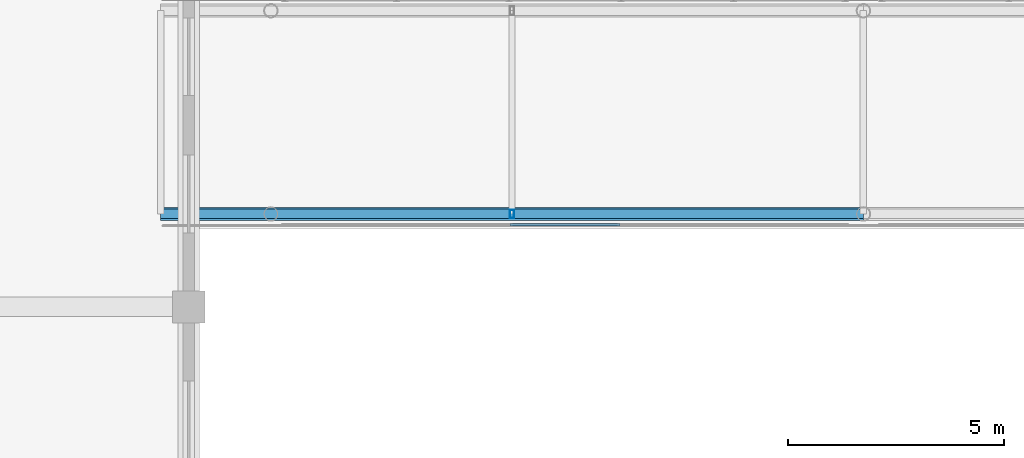
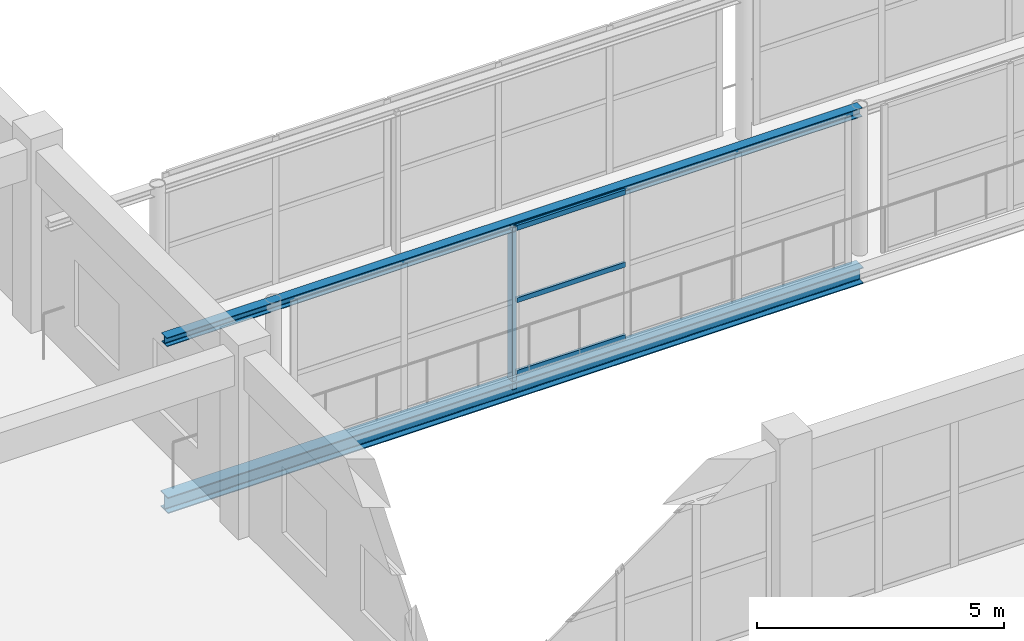
# One storey, part 45 of 175: 5 members, 1 beam, 1 element without a shape of its own.
"""IFC4 building model written with IfcOpenShell, lengths in metres."""

from ifc_helpers import new_model, si_unit, direction, frame, origin, origin_2d, place, context, subcontext, project, spatial, hollow_rectangle, i_section, extrude, material, layer, layer_set, material_profile, profile_set, type_object, element, aggregate, save


model = new_model("IFC4")

# Units and contexts
model_context = context("Model", 3, precision=1e-05, world=origin(), true_north=direction((0.0, 1.0)))
body_context = subcontext(model_context, "Body", "Model", "MODEL_VIEW")
ifc_project = project(units=[si_unit("LENGTHUNIT", "METRE"), si_unit("AREAUNIT", "SQUARE_METRE"), si_unit("VOLUMEUNIT", "CUBIC_METRE"), si_unit("PLANEANGLEUNIT", "RADIAN"), si_unit("MASSUNIT", "GRAM", prefix="KILO")], contexts=[model_context])

# Site, building, storey
site_placement = place(None, origin())
site = spatial("IfcSite", under=ifc_project, at=site_placement, CompositionType="ELEMENT")
building_placement = place(site_placement, origin())
building = spatial("IfcBuilding", under=site, at=building_placement, Name="Zizhar Promenade General Hospital", CompositionType="ELEMENT")
storey_placement = place(building_placement, frame((0.0, 0.0, 4.800048828125)))
storey = spatial("IfcBuildingStorey", under=building, at=storey_placement, Name="L01", CompositionType="ELEMENT", Elevation=4.800048828125)

# Beam
ifc_material_1 = material(Name="Steel S355", Category="steel")
ifc_material_profile_1 = material_profile(ifc_material_1, i_section(OverallWidth=0.300048828125, OverallDepth=0.39990234375, WebThickness=0.013427734375, FlangeThickness=0.02392578125, FilletRadius=0.027099609375, at=origin_2d()))
ifc_profile_set_1 = profile_set([ifc_material_profile_1], Name="Steel S355")
beam_type = type_object("IfcBeamType", Name="BM-STL-HEB400", PredefinedType="BEAM", material=ifc_profile_set_1)
beam_placement = place(storey_placement, frame((69.550048828125, 60.949951171875, -0.5), z_axis=(1.0, 0.0, 0.0), x_axis=(0.0, 1.0, 0.0)))
element("IfcBeam", 1, at=beam_placement, inside=storey, type_object=beam_type, Name="SB-1 Bottom Chord 1S", PredefinedType="BEAM", context=body_context, shape_type="SweptSolid", body=[
    extrude(i_section(OverallWidth=0.300048828125, OverallDepth=0.39990234375, WebThickness=0.013427734375, FlangeThickness=0.02392578125, FilletRadius=0.027099609375, at=origin_2d()), origin(), (0.0, 0.0, 1.0), 16.25),
])

# Curtain wall, members
ifc_material_2 = material(Name="Anodised aluminium 6063-T6 and low-E glass", Category="aluminium")
ifc_layer = layer(ifc_material_2, 0.159912109375)
ifc_layer_set = layer_set([ifc_layer], Name="Anodised aluminium 6063-T6 and low-E glass")
curtain_wall_type = type_object("IfcCurtainWallType", Name="CW-SKY-GLZ", PredefinedType="NOTDEFINED", material=ifc_layer_set)
curtain_wall_placement = place(storey_placement, origin())
curtain_wall = element("IfcCurtainWall", 2, at=curtain_wall_placement, inside=storey, type_object=curtain_wall_type, Name="Courtyard Clinical Skybridge Level L01 South Glazing 1", PredefinedType="NOTDEFINED")
ifc_material_3 = material(Name="Anodised aluminium 6063-T6", Category="aluminium")
ifc_material_profile_2 = material_profile(ifc_material_3, hollow_rectangle(XDim=0.06005859375, YDim=0.1201171875, WallThickness=0.00390625, at=origin_2d()))
ifc_profile_set_2 = profile_set([ifc_material_profile_2], Name="Anodised aluminium 6063-T6")
member_type_1 = type_object("IfcMemberType", Name="CWT-ALU-120x60", PredefinedType="USERDEFINED", material=ifc_profile_set_2)
member_1_placement = place(storey_placement, frame((80.169921875, 60.699951171875, 0.030029296875), z_axis=(-1.0, 0.0, 0.0), x_axis=(0.0, -1.0, 0.0)))
member_1 = element("IfcMember", 3, at=member_1_placement, type_object=member_type_1, Name="CW-15 transom 3.1", ObjectType="TRANSOM", PredefinedType="USERDEFINED", context=body_context, shape_type="SweptSolid", body=[
    extrude(hollow_rectangle(XDim=0.06005859375, YDim=0.1201171875, WallThickness=0.00390625, at=origin_2d()), origin(), (0.0, 0.0, 1.0), 2.5400390625),
])
member_2_placement = place(storey_placement, frame((80.169921875, 60.699951171875, 1.820068359375), z_axis=(-1.0, 0.0, 0.0), x_axis=(0.0, -1.0, 0.0)))
member_2 = element("IfcMember", 4, at=member_2_placement, type_object=member_type_1, Name="CW-15 transom 3.2", ObjectType="TRANSOM", PredefinedType="USERDEFINED", context=body_context, shape_type="SweptSolid", body=[
    extrude(hollow_rectangle(XDim=0.06005859375, YDim=0.1201171875, WallThickness=0.00390625, at=origin_2d()), origin(), (0.0, 0.0, 1.0), 2.5400390625),
])
member_3_placement = place(storey_placement, frame((80.169921875, 60.699951171875, 3.60986328125), z_axis=(-1.0, 0.0, 0.0), x_axis=(0.0, -1.0, 0.0)))
member_3 = element("IfcMember", 5, at=member_3_placement, type_object=member_type_1, Name="CW-15 transom 3.3", ObjectType="TRANSOM", PredefinedType="USERDEFINED", context=body_context, shape_type="SweptSolid", body=[
    extrude(hollow_rectangle(XDim=0.06005859375, YDim=0.1201171875, WallThickness=0.00390625, at=origin_2d()), origin(), (0.0, 0.0, 1.0), 2.5400390625),
])
aggregate(curtain_wall, [member_1, member_2, member_3])

# Members
ifc_material_4 = material(Name="Steel S355", Category="steel")
ifc_material_profile_3 = material_profile(ifc_material_4, i_section(OverallWidth=0.219970703125, OverallDepth=0.219970703125, WebThickness=0.009521484375, FlangeThickness=0.01611328125, FilletRadius=0.01806640625, at=origin_2d()))
ifc_profile_set_3 = profile_set([ifc_material_profile_3], Name="Steel S355")
member_type_2 = type_object("IfcMemberType", Name="MEM-CHORD-HEB220", PredefinedType="CHORD", material=ifc_profile_set_3)
member_4_placement = place(storey_placement, frame((69.550048828125, 60.949951171875, 3.510009765625), z_axis=(1.0, 0.0, 0.0), x_axis=(0.0, 1.0, 0.0)))
element("IfcMember", 6, at=member_4_placement, inside=storey, type_object=member_type_2, Name="SB-1 Top Chord 1S", PredefinedType="CHORD", context=body_context, shape_type="SweptSolid", body=[
    extrude(i_section(OverallWidth=0.219970703125, OverallDepth=0.219970703125, WebThickness=0.009521484375, FlangeThickness=0.01611328125, FilletRadius=0.01806640625, at=origin_2d()), origin(), (0.0, 0.0, 1.0), 16.25),
])
ifc_material_5 = material(Name="Steel S355", Category="steel")
ifc_material_profile_4 = material_profile(ifc_material_5, hollow_rectangle(XDim=0.10009765625, YDim=0.199951171875, WallThickness=0.008056640625, at=origin_2d()))
ifc_profile_set_4 = profile_set([ifc_material_profile_4], Name="Steel S355")
member_type_3 = type_object("IfcMemberType", Name="MEM-STRUT-RHS200", PredefinedType="STRUT", material=ifc_profile_set_4)
member_5_placement = place(storey_placement, frame((77.675048828125, 60.949951171875, -0.5), z_axis=(0.0, 0.0, 1.0), x_axis=(1.0, 0.0, 0.0)))
element("IfcMember", 7, at=member_5_placement, inside=storey, type_object=member_type_3, Name="SB-1 Vierendeel Post 1S", PredefinedType="STRUT", context=body_context, shape_type="SweptSolid", body=[
    extrude(hollow_rectangle(XDim=0.10009765625, YDim=0.199951171875, WallThickness=0.008056640625, at=origin_2d()), origin(), (0.0, 0.0, 1.0), 4.010009765625),
])

save(model, "model.ifc")
